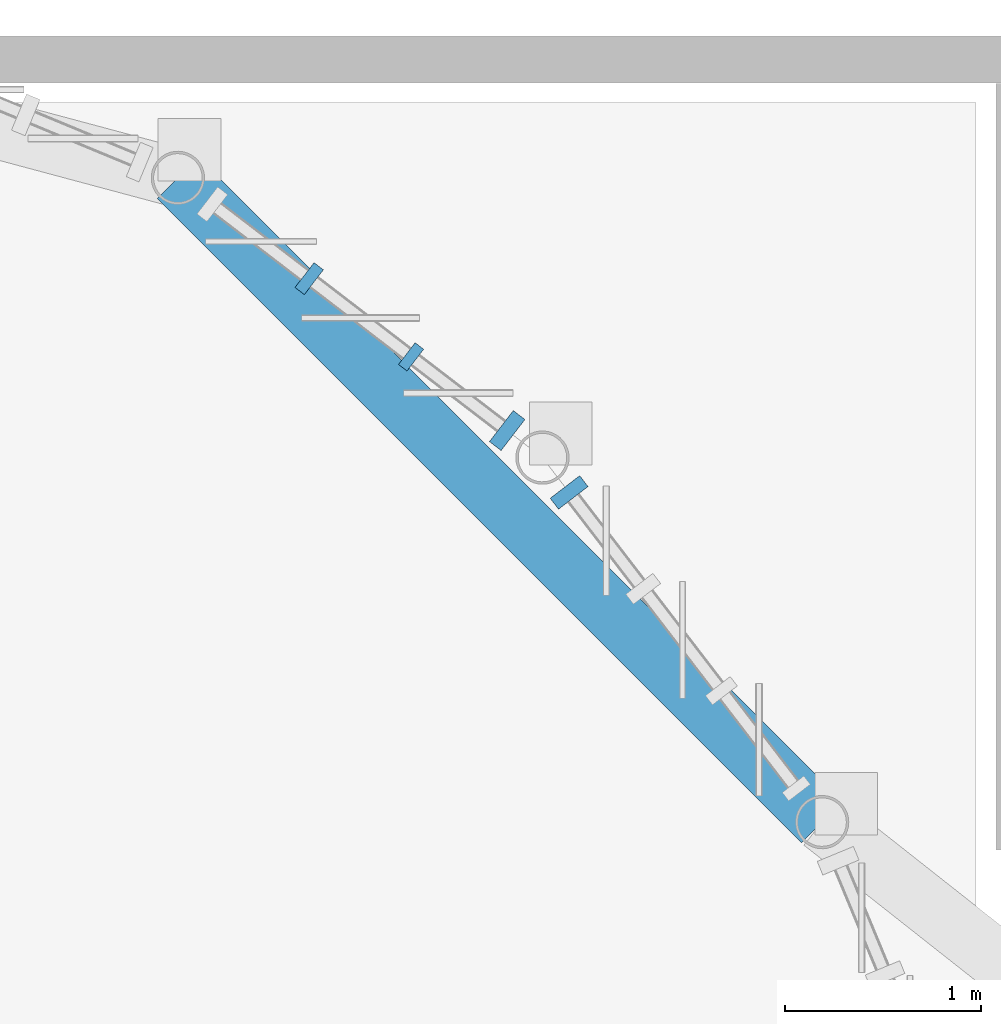
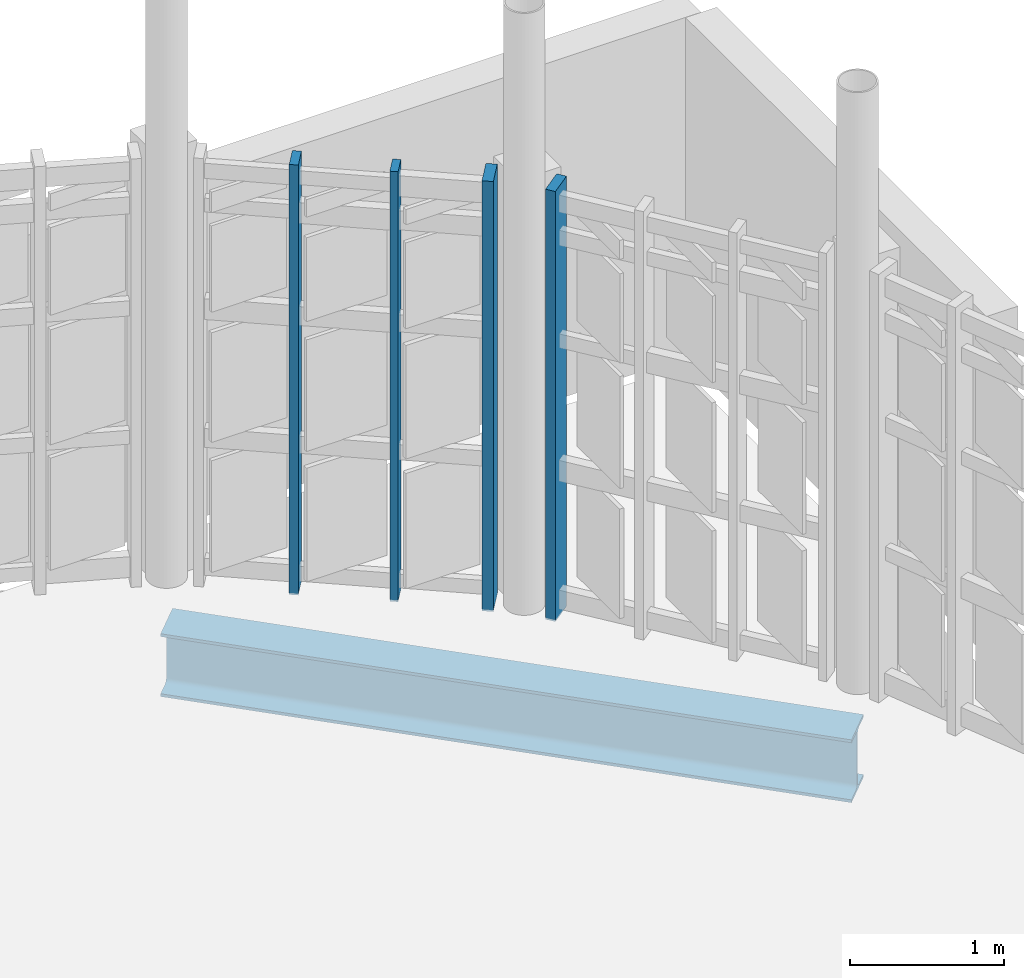
# One storey, part 27 of 128: 4 members, 1 beam, 2 elements without a shape of their own.
"""IFC4 building model written with IfcOpenShell, lengths in metres."""

from ifc_helpers import new_model, si_unit, direction, frame, origin, origin_2d, place, context, subcontext, project, spatial, rectangle, i_section, extrude, material, material_profile, profile_set, type_object, element, aggregate, save


model = new_model("IFC4")

# Units and contexts
model_context = context("Model", 3, precision=1e-05, world=origin(), true_north=direction((0.0, 1.0)))
body_context = subcontext(model_context, "Body", "Model", "MODEL_VIEW")
ifc_project = project(units=[si_unit("LENGTHUNIT", "METRE"), si_unit("AREAUNIT", "SQUARE_METRE"), si_unit("VOLUMEUNIT", "CUBIC_METRE"), si_unit("PLANEANGLEUNIT", "RADIAN"), si_unit("MASSUNIT", "GRAM", prefix="KILO")], contexts=[model_context])

# Site, building, storey
site_placement = place(None, origin())
site = spatial("IfcSite", under=ifc_project, at=site_placement, CompositionType="ELEMENT")
building_placement = place(site_placement, origin())
building = spatial("IfcBuilding", under=site, at=building_placement, Name="Serraforn Aerial Cableway Station", CompositionType="ELEMENT")
storey_placement = place(building_placement, frame((0.0, 0.0, 9.0)))
storey = spatial("IfcBuildingStorey", under=building, at=storey_placement, Name="L02", CompositionType="ELEMENT", Elevation=9.0)

# Beam
ifc_material_1 = material(Name="Steel S355J2", Category="steel")
ifc_material_profile_1 = material_profile(ifc_material_1, i_section(OverallWidth=0.300048828125, OverallDepth=0.5, WebThickness=0.011962890625, FlangeThickness=0.02294921875, FilletRadius=0.027099609375, at=origin_2d()), Name="HEA 500")
ifc_profile_set_1 = profile_set([ifc_material_profile_1], Name="Steel S355J2")
beam_type = type_object("IfcBeamType", Name="BM-ST-HEA500", PredefinedType="USERDEFINED", material=ifc_profile_set_1)
beam_placement = place(storey_placement, frame((63.60009765625, 49.794189453125, -0.590087890625), z_axis=(0.707106781187, -0.707106781187, 0.0), x_axis=(0.707106781187, 0.707106781187, 0.0)))
element("IfcBeam", 1, at=beam_placement, inside=storey, type_object=beam_type, Name="Apse Ring Girder L02-5", ObjectType="GIRDER", PredefinedType="USERDEFINED", context=body_context, shape_type="SweptSolid", body=[
    extrude(i_section(OverallWidth=0.300048828125, OverallDepth=0.5, WebThickness=0.011962890625, FlangeThickness=0.02294921875, FilletRadius=0.027099609375, at=origin_2d()), origin(), (0.0, 0.0, 1.0), 4.65869140625),
])

# Curtain wall, members
ifc_material_2 = material(Name="Anodised bronze unitised curtain wall")
curtain_wall_type_1 = type_object("IfcCurtainWallType", Name="CW-SYS-12", PredefinedType="USERDEFINED", material=ifc_material_2)
curtain_wall_1_placement = place(storey_placement, origin())
curtain_wall_1 = element("IfcCurtainWall", 2, at=curtain_wall_1_placement, inside=storey, type_object=curtain_wall_type_1, Name="Unitised Curtain Wall CW-AP-L02-R9", ObjectType="UNITISED CURTAIN WALL", PredefinedType="USERDEFINED")
ifc_material_3 = material(Name="Anodised bronze extruded aluminium", Category="aluminium")
ifc_material_profile_2 = material_profile(ifc_material_3, rectangle(XDim=0.054931640625, YDim=0.139892578125, at=origin_2d()), Name="CW MULLION 55x140")
ifc_profile_set_2 = profile_set([ifc_material_profile_2], Name="Anodised bronze extruded aluminium")
member_type_1 = type_object("IfcMemberType", Name="CW-MUL-1", PredefinedType="MULLION", material=ifc_profile_set_2)
member_1_placement = place(storey_placement, frame((64.79248046875, 48.879150390625, 0.0), z_axis=(0.0, 0.0, 1.0), x_axis=(-0.793362901671, 0.608748968173, 0.0)))
member_1 = element("IfcMember", 3, at=member_1_placement, type_object=member_type_1, Name="Curtain Wall Mullion CW-AP-L02-R9-M2", PredefinedType="MULLION", context=body_context, shape_type="SweptSolid", body=[
    extrude(rectangle(XDim=0.054931640625, YDim=0.139892578125, at=origin_2d()), origin(), (0.0, 0.0, 1.0), 3.419921875),
])
ifc_material_profile_3 = material_profile(ifc_material_3, rectangle(XDim=0.06005859375, YDim=0.159912109375, at=origin_2d()), Name="CW MULLION 60x160")
ifc_profile_set_3 = profile_set([ifc_material_profile_3], Name="Anodised bronze extruded aluminium")
member_type_2 = type_object("IfcMemberType", Name="CW-MUL-2", PredefinedType="MULLION", material=ifc_profile_set_3)
member_2_placement = place(storey_placement, frame((64.271484375, 49.279052734375, 0.0), z_axis=(0.0, 0.0, 1.0), x_axis=(-0.793362901671, 0.608748968173, 0.0)))
member_2 = element("IfcMember", 4, at=member_2_placement, type_object=member_type_2, Name="Curtain Wall Mullion CW-AP-L02-R9-M3", PredefinedType="MULLION", context=body_context, shape_type="SweptSolid", body=[
    extrude(rectangle(XDim=0.06005859375, YDim=0.159912109375, at=origin_2d()), origin(), (0.0, 0.0, 1.0), 3.419921875),
])

# Curtain wall, member
curtain_wall_type_2 = type_object("IfcCurtainWallType", Name="CW-SYS-13", PredefinedType="USERDEFINED", material=ifc_material_2)
curtain_wall_2_placement = place(storey_placement, origin())
curtain_wall_2 = element("IfcCurtainWall", 5, at=curtain_wall_2_placement, inside=storey, type_object=curtain_wall_type_2, Name="Unitised Curtain Wall CW-AP-L02-R10", ObjectType="UNITISED CURTAIN WALL", PredefinedType="USERDEFINED")
ifc_material_profile_4 = material_profile(ifc_material_3, rectangle(XDim=0.070068359375, YDim=0.18994140625, at=origin_2d()), Name="CW MULLION 70x190")
ifc_profile_set_4 = profile_set([ifc_material_profile_4], Name="Anodised bronze extruded aluminium")
member_type_3 = type_object("IfcMemberType", Name="CW-MUL-4", PredefinedType="MULLION", material=ifc_profile_set_4)
member_3_placement = place(storey_placement, frame((65.6005859375, 48.185791015625, 0.0), z_axis=(0.0, 0.0, 1.0), x_axis=(-0.608748968173, 0.793362901671, 0.0)))
member_3 = element("IfcMember", 6, at=member_3_placement, type_object=member_type_3, Name="Curtain Wall Mullion CW-AP-L02-R10-M4", PredefinedType="MULLION", context=body_context, shape_type="SweptSolid", body=[
    extrude(rectangle(XDim=0.070068359375, YDim=0.18994140625, at=origin_2d()), origin(), (0.0, 0.0, 1.0), 3.419921875),
])
aggregate(curtain_wall_2, [member_3])

# Member
ifc_material_profile_5 = material_profile(ifc_material_3, rectangle(XDim=0.074951171875, YDim=0.199951171875, at=origin_2d()), Name="CW MULLION 75x200")
ifc_profile_set_5 = profile_set([ifc_material_profile_5], Name="Anodised bronze extruded aluminium")
member_type_4 = type_object("IfcMemberType", Name="CW-MUL-5", PredefinedType="MULLION", material=ifc_profile_set_5)
member_4_placement = place(storey_placement, frame((65.283935546875, 48.502197265625, 0.0), z_axis=(0.0, 0.0, 1.0), x_axis=(-0.793362901671, 0.608748968173, 0.0)))
member_4 = element("IfcMember", 7, at=member_4_placement, type_object=member_type_4, Name="Curtain Wall Mullion CW-AP-L02-R9-M1", PredefinedType="MULLION", context=body_context, shape_type="SweptSolid", body=[
    extrude(rectangle(XDim=0.074951171875, YDim=0.199951171875, at=origin_2d()), origin(), (0.0, 0.0, 1.0), 3.419921875),
])

aggregate(curtain_wall_1, [member_4, member_1, member_2])

save(model, "model.ifc")
